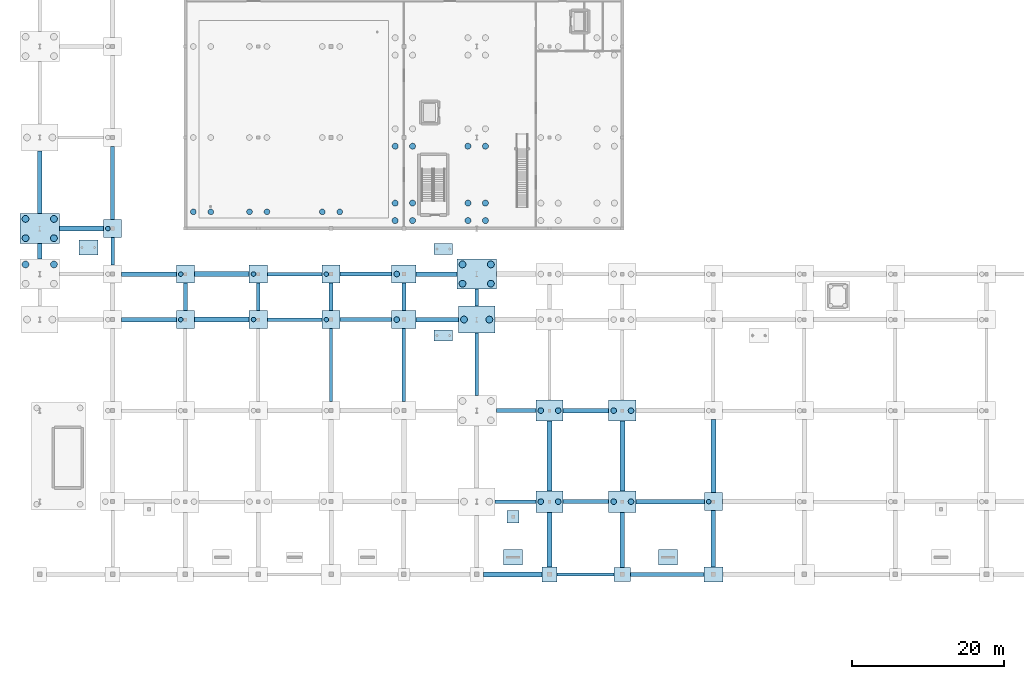
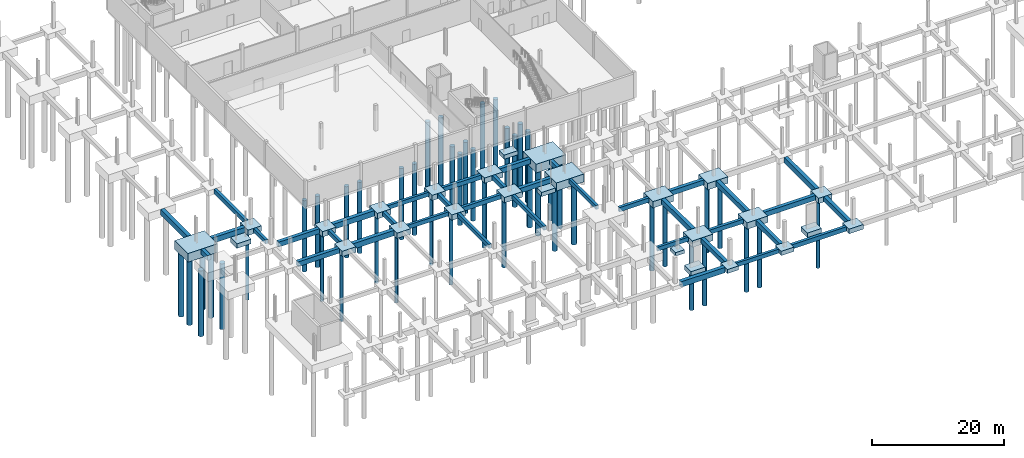
# One storey, part 2 of 31: 63 footings, 48 piles.
"""IFC4 building model written with IfcOpenShell, lengths in metres."""

import ifcopenshell
import ifcopenshell.guid

model = None  # the IFC model being written
_history = None  # IfcOwnerHistory: only IFC2X3 demands one
_inside = {}  # id of a spatial element -> (the spatial element, [elements in it])
_under = {}  # id of a project, library or spatial element -> (it, [spatial elements below it])
_declared = {}  # id of a project -> (the project, [libraries it declares])
_typed = {}  # id of a type object -> (the type object, [elements of that type])
_made_of = {}  # id of a material, layer set ... -> (it, [elements and type objects made of it])


def new_model(schema):
    """Start an empty IFC model of exactly this schema.

    Asked for "IFC4X3", IfcOpenShell would pick the latest addendum, in which some entities
    have other attributes; the version numbers below select the first issue.
    IFC2X3 requires an IfcOwnerHistory on every rooted entity: one is made here for all.
    """
    global model, _history
    if schema == "IFC4X3":
        model = ifcopenshell.file(schema_version=(4, 3, 0, 0))
    else:
        model = ifcopenshell.file(schema=schema)
    _inside.clear()
    _under.clear()
    _declared.clear()
    _typed.clear()
    _made_of.clear()
    _history = None
    if model.schema == "IFC2X3":
        org = make("IfcOrganization", Name="unknown")
        user = make(
            "IfcPersonAndOrganization",
            ThePerson=make("IfcPerson", FamilyName="unknown"),
            TheOrganization=org,
        )
        app = make(
            "IfcApplication",
            ApplicationDeveloper=org,
            Version="unknown",
            ApplicationFullName="unknown",
            ApplicationIdentifier="unknown",
        )
        _history = make(
            "IfcOwnerHistory",
            OwningUser=user,
            OwningApplication=app,
            ChangeAction="ADDED",
            CreationDate=0,
        )
    return model


def make(cls, **values):
    """One entity of the class cls with the attributes given. An attribute that is None is left unset."""
    return model.create_entity(
        cls, **{name: value for name, value in values.items() if value is not None}
    )


def rooted(cls, **values):
    """An entity with a GlobalId (a new one), such as an element, a storey or a relation."""
    return make(cls, GlobalId=ifcopenshell.guid.new(), OwnerHistory=_history, **values)


def si_unit(unit_type, name, prefix=None):
    """IfcSIUnit, for example si_unit("LENGTHUNIT", "METRE", prefix="MILLI")."""
    return make("IfcSIUnit", UnitType=unit_type, Prefix=prefix, Name=name)


def assignment(units):
    """IfcUnitAssignment: the units of a project."""
    return None if units is None else make("IfcUnitAssignment", Units=units)


def point(xyz):
    """IfcCartesianPoint."""
    return None if xyz is None else make("IfcCartesianPoint", Coordinates=xyz)


def direction(xyz):
    """IfcDirection."""
    return None if xyz is None else make("IfcDirection", DirectionRatios=xyz)


def frame(location, z_axis=None, x_axis=None):
    """IfcAxis2Placement3D, a coordinate frame: its origin and axes. An axis left out is left unset."""
    return make(
        "IfcAxis2Placement3D",
        Location=point(location),
        Axis=direction(z_axis),
        RefDirection=direction(x_axis),
    )


def frame_2d(location, x_axis=None):
    """IfcAxis2Placement2D, a coordinate frame in the plane: its origin and x axis."""
    return make(
        "IfcAxis2Placement2D", Location=point(location), RefDirection=direction(x_axis)
    )


def origin():
    """The frame at (0, 0, 0) with its axes left unset."""
    return frame((0.0, 0.0, 0.0))


def origin_2d():
    """The frame at (0, 0) in the plane with its x axis left unset."""
    return frame_2d((0.0, 0.0))


def place(relative_to, where):
    """IfcLocalPlacement: puts the frame where relative to a parent placement (None: the world)."""
    return make(
        "IfcLocalPlacement", PlacementRelTo=relative_to, RelativePlacement=where
    )


def context(
    kind, dimensions, precision=None, world=None, true_north=None, identifier=None
):
    """IfcGeometricRepresentationContext, for example the 3D "Model" context."""
    return make(
        "IfcGeometricRepresentationContext",
        ContextIdentifier=identifier,
        ContextType=kind,
        CoordinateSpaceDimension=dimensions,
        Precision=precision,
        WorldCoordinateSystem=world,
        TrueNorth=true_north,
    )


def subcontext(parent, identifier, kind, view, scale=None):
    """IfcGeometricRepresentationSubContext, for example "Body" below "Model"."""
    return make(
        "IfcGeometricRepresentationSubContext",
        ContextIdentifier=identifier,
        ContextType=kind,
        ParentContext=parent,
        TargetScale=scale,
        TargetView=view,
    )


def project(units=None, contexts=None):
    """IfcProject with its units and contexts."""
    return rooted(
        "IfcProject",
        Name="project",
        RepresentationContexts=contexts,
        UnitsInContext=assignment(units),
    )


def spatial(cls, under=None, at=None, **own):
    """A site, building, storey or space (cls), placed at a placement, below another one or the project."""
    s = rooted(cls, ObjectPlacement=at, **own)
    if under is not None:
        _under.setdefault(under.id(), (under, []))[1].append(s)
    return s


def profile(cls, at=None, kind="AREA", **sizes):
    """A parametric profile (cls). Its sizes go by their IFC names, for example OverallWidth=200.0."""
    return make(cls, ProfileType=kind, Position=at, **sizes)


def rectangle(**sizes):
    """IfcRectangleProfileDef."""
    return profile("IfcRectangleProfileDef", **sizes)


def circle(**sizes):
    """IfcCircleProfileDef."""
    return profile("IfcCircleProfileDef", **sizes)


def extrude(swept, where, along, depth):
    """IfcExtrudedAreaSolid: the profile swept, set in the frame where, extruded along a direction by depth."""
    return make(
        "IfcExtrudedAreaSolid",
        SweptArea=swept,
        Position=where,
        ExtrudedDirection=direction(along),
        Depth=depth,
    )


def shape(context_of_items, identifier, shape_type, items):
    """IfcShapeRepresentation: the items that make up one representation, for example the "Body"."""
    return make(
        "IfcShapeRepresentation",
        ContextOfItems=context_of_items,
        RepresentationIdentifier=identifier,
        RepresentationType=shape_type,
        Items=items,
    )


def material(Name=None, Category=None):
    """IfcMaterial."""
    return make("IfcMaterial", Name=Name, Category=Category)


def layer(
    of_material, thickness, ventilated=None, Name=None, Category=None, Priority=None
):
    """IfcMaterialLayer: one layer of a wall or slab, of a material (None: an air gap)."""
    return make(
        "IfcMaterialLayer",
        Material=of_material,
        LayerThickness=thickness,
        IsVentilated=ventilated,
        Name=Name,
        Category=Category,
        Priority=Priority,
    )


def layer_set(layers, Name=None):
    """IfcMaterialLayerSet."""
    return make("IfcMaterialLayerSet", MaterialLayers=layers, LayerSetName=Name)


def material_profile(
    of_material, cross_section, Name=None, Category=None, Priority=None
):
    """IfcMaterialProfile: a cross section and its material."""
    return make(
        "IfcMaterialProfile",
        Name=Name,
        Material=of_material,
        Profile=cross_section,
        Priority=Priority,
        Category=Category,
    )


def profile_set(profiles, Name=None, composite=None):
    """IfcMaterialProfileSet."""
    return make(
        "IfcMaterialProfileSet",
        Name=Name,
        MaterialProfiles=profiles,
        CompositeProfile=composite,
    )


def made_of(thing, what):
    """Note that an element or type object is made of a material, layer set ...; save() writes the relation."""
    if what is not None:
        _made_of.setdefault(what.id(), (what, []))[1].append(thing)
    return thing


def type_object(cls, material=None, **own):
    """A type object (cls), such as IfcWallType, which elements share."""
    return made_of(rooted(cls, **own), material)


def element(
    cls,
    number,
    at=None,
    inside=None,
    cuts=None,
    type_object=None,
    material=None,
    context=None,
    identifier="Body",
    shape_type=None,
    held_by="IfcProductDefinitionShape",
    body=None,
    shapes=None,
    **own,
):
    """One element of the class cls, such as IfcWall. Its Tag is "e" and its number.

    at: its placement. inside: the storey or other place that contains it. cuts: it is an
    opening in that element (IfcRelVoidsElement). A single representation is given by context,
    identifier, shape_type and body (its items); several are given by shapes. held_by: the class
    of the entity that holds the representations. save() writes the other relations.
    """
    e = rooted(cls, Tag="e%d" % number, ObjectPlacement=at, **own)
    if body is not None:
        shapes = [shape(context, identifier, shape_type, body)]
    if shapes is not None:
        e.Representation = make(held_by, Representations=shapes)
    if inside is not None:
        _inside.setdefault(inside.id(), (inside, []))[1].append(e)
    if cuts is not None:
        rooted(
            "IfcRelVoidsElement", RelatingBuildingElement=cuts, RelatedOpeningElement=e
        )
    if type_object is not None:
        _typed.setdefault(type_object.id(), (type_object, []))[1].append(e)
    return made_of(e, material)


def aggregate(whole, parts):
    """IfcRelAggregates: a whole, such as a stair, and the parts it consists of."""
    return rooted("IfcRelAggregates", RelatingObject=whole, RelatedObjects=parts)


def save(model, path):
    """Write the relations noted so far, then the file.

    IfcRelAggregates (storeys below a building ...), IfcRelContainedInSpatialStructure (elements
    in a storey), IfcRelDefinesByType, IfcRelAssociatesMaterial and IfcRelDeclares: one each for
    every whole, place, type object, material and project.
    """
    for whole, parts in _under.values():
        aggregate(whole, parts)
    for where, things in _inside.values():
        rooted(
            "IfcRelContainedInSpatialStructure",
            RelatedElements=things,
            RelatingStructure=where,
        )
    for kind, things in _typed.values():
        rooted("IfcRelDefinesByType", RelatedObjects=things, RelatingType=kind)
    for what, things in _made_of.values():
        rooted("IfcRelAssociatesMaterial", RelatedObjects=things, RelatingMaterial=what)
    for by, libraries in _declared.values():
        rooted("IfcRelDeclares", RelatingContext=by, RelatedDefinitions=libraries)
    model.write(path)


model = new_model("IFC4")

# Units and contexts
model_context = context("Model", 3, precision=1e-05, world=origin(), true_north=direction((0.0, 1.0)))
body_context = subcontext(model_context, "Body", "Model", "MODEL_VIEW")
ifc_project = project(units=[si_unit("LENGTHUNIT", "METRE"), si_unit("AREAUNIT", "SQUARE_METRE"), si_unit("VOLUMEUNIT", "CUBIC_METRE"), si_unit("PLANEANGLEUNIT", "RADIAN"), si_unit("MASSUNIT", "GRAM", prefix="KILO")], contexts=[model_context])

# Site, building, storey
site_placement = place(None, origin())
site = spatial("IfcSite", under=ifc_project, at=site_placement, CompositionType="ELEMENT")
building_placement = place(site_placement, origin())
building = spatial("IfcBuilding", under=site, at=building_placement, Name="Merenkruunu Market Hall", CompositionType="ELEMENT")
storey_placement = place(building_placement, frame((0.0, 0.0, -4.800048828125)))
storey = spatial("IfcBuildingStorey", under=building, at=storey_placement, Name="B1", CompositionType="ELEMENT", Elevation=-4.800048828125)

# Footings
ifc_material = material(Name="Concrete C35/45", Category="concrete")
ifc_layer_1 = layer(ifc_material, 1.0)
ifc_layer_set_1 = layer_set([ifc_layer_1], Name="Concrete C35/45")
footing_type_1 = type_object("IfcFootingType", Name="Multi Pile Cap PC01", PredefinedType="PILE_CAP", material=ifc_layer_set_1)
for number, where, z_axis, x_axis, name in (
    (1, (9.60009765625, 51.60009765625, -1.0), (0.0, 0.0, 1.0), (1.0, 0.0, 0.0), "FTG-CAP-B-07"),
    (2, (19.199951171875, 39.60009765625, -1.0), (0.0, 0.0, 1.0), (1.0, 0.0, 0.0), "FTG-CAP-C-05"),
    (3, (19.199951171875, 45.60009765625, -1.0), (0.0, 0.0, 1.0), (1.0, 0.0, 0.0), "FTG-CAP-C-06"),
    (4, (28.800048828125, 39.60009765625, -1.0), (0.0, 0.0, 1.0), (1.0, 0.0, 0.0), "FTG-CAP-D-05"),
    (5, (28.800048828125, 45.60009765625, -1.0), (0.0, 0.0, 1.0), (1.0, 0.0, 0.0), "FTG-CAP-D-06"),
    (6, (38.39990234375, 39.60009765625, -1.0), (0.0, 0.0, 1.0), (1.0, 0.0, 0.0), "FTG-CAP-E-05"),
    (7, (38.39990234375, 45.60009765625, -1.0), (0.0, 0.0, 1.0), (1.0, 0.0, 0.0), "FTG-CAP-E-06"),
    (8, (88.800048828125, 15.60009765625, -1.0), (0.0, 0.0, 1.0), (1.0, 0.0, 0.0), "FTG-CAP-K-03"),
):
    element("IfcFooting", number, at=place(storey_placement, frame(where, z_axis=z_axis, x_axis=x_axis)), inside=storey, type_object=footing_type_1, Name=name, PredefinedType="PILE_CAP", context=body_context, shape_type="SweptSolid", body=[
        extrude(rectangle(XDim=2.39990234375, YDim=2.39990234375, at=origin_2d()), origin(), (0.0, 0.0, 1.0), 1.0),
    ])
ifc_layer_2 = layer(ifc_material, 1.0)
ifc_layer_set_2 = layer_set([ifc_layer_2], Name="Concrete C35/45")
footing_type_2 = type_object("IfcFootingType", Name="Multi Pile Cap PC03", PredefinedType="PILE_CAP", material=ifc_layer_set_2)
for number, where, z_axis, x_axis, name in (
    (9, (48.0, 39.60009765625, -1.0), (0.0, 0.0, 1.0), (1.0, 0.0, 0.0), "FTG-CAP-F-05"),
    (10, (48.0, 45.60009765625, -1.0), (0.0, 0.0, 1.0), (1.0, 0.0, 0.0), "FTG-CAP-F-06"),
):
    element("IfcFooting", number, at=place(storey_placement, frame(where, z_axis=z_axis, x_axis=x_axis)), inside=storey, type_object=footing_type_2, Name=name, PredefinedType="PILE_CAP", context=body_context, shape_type="SweptSolid", body=[
        extrude(rectangle(XDim=3.199951171875, YDim=2.39990234375, at=origin_2d()), origin(), (0.0, 0.0, 1.0), 1.0),
    ])
ifc_layer_3 = layer(ifc_material, 1.199951171875)
ifc_layer_set_3 = layer_set([ifc_layer_3], Name="Concrete C35/45")
footing_type_3 = type_object("IfcFootingType", Name="Multi Pile Cap PC04", PredefinedType="PILE_CAP", material=ifc_layer_set_3)
for number, where, z_axis, x_axis, name in (
    (11, (67.199951171875, 15.60009765625, -1.19970703125), (0.0, 0.0, 1.0), (1.0, 0.0, 0.0), "FTG-CAP-H-03"),
    (12, (67.199951171875, 27.60009765625, -1.19970703125), (0.0, 0.0, 1.0), (1.0, 0.0, 0.0), "FTG-CAP-H-04"),
    (13, (76.800048828125, 15.60009765625, -1.19970703125), (0.0, 0.0, 1.0), (1.0, 0.0, 0.0), "FTG-CAP-J-03"),
    (14, (76.800048828125, 27.60009765625, -1.19970703125), (0.0, 0.0, 1.0), (1.0, 0.0, 0.0), "FTG-CAP-J-04"),
):
    element("IfcFooting", number, at=place(storey_placement, frame(where, z_axis=z_axis, x_axis=x_axis)), inside=storey, type_object=footing_type_3, Name=name, PredefinedType="PILE_CAP", context=body_context, shape_type="SweptSolid", body=[
        extrude(rectangle(XDim=3.60009765625, YDim=2.800048828125, at=origin_2d()), origin(), (0.0, 0.0, 1.0), 1.199951171875),
    ])
ifc_layer_4 = layer(ifc_material, 1.5)
ifc_layer_set_4 = layer_set([ifc_layer_4], Name="Concrete C35/45")
footing_type_4 = type_object("IfcFootingType", Name="Multi Pile Cap PC07", PredefinedType="PILE_CAP", material=ifc_layer_set_4)
footing_1_placement = place(storey_placement, frame((57.60009765625, 39.60009765625, -1.5), z_axis=(0.0, 0.0, 1.0), x_axis=(1.0, 0.0, 0.0)))
element("IfcFooting", 15, at=footing_1_placement, inside=storey, type_object=footing_type_4, Name="FTG-CAP-G-05", PredefinedType="PILE_CAP", context=body_context, shape_type="SweptSolid", body=[
    extrude(rectangle(XDim=4.800048828125, YDim=3.60009765625, at=origin_2d()), origin(), (0.0, 0.0, 1.0), 1.5),
])
ifc_layer_5 = layer(ifc_material, 1.60009765625)
ifc_layer_set_5 = layer_set([ifc_layer_5], Name="Concrete C35/45")
footing_type_5 = type_object("IfcFootingType", Name="Multi Pile Cap PC08", PredefinedType="PILE_CAP", material=ifc_layer_set_5)
for number, where, z_axis, x_axis, name in (
    (16, (0.0, 51.60009765625, -1.60009765625), (0.0, 0.0, 1.0), (1.0, 0.0, 0.0), "FTG-CAP-A-07"),
    (17, (57.60009765625, 45.60009765625, -1.60009765625), (0.0, 0.0, 1.0), (1.0, 0.0, 0.0), "FTG-CAP-G-06"),
):
    element("IfcFooting", number, at=place(storey_placement, frame(where, z_axis=z_axis, x_axis=x_axis)), inside=storey, type_object=footing_type_5, Name=name, PredefinedType="PILE_CAP", context=body_context, shape_type="SweptSolid", body=[
        extrude(rectangle(XDim=5.199951171875, YDim=4.0, at=origin_2d()), origin(), (0.0, 0.0, 1.0), 1.60009765625),
    ])

# Piles
ifc_material_profile_1 = material_profile(ifc_material, circle(Radius=0.300048828125, at=origin_2d()), Name="BORED PILE 600")
ifc_profile_set_1 = profile_set([ifc_material_profile_1], Name="Concrete C35/45")
pile_type_1 = type_object("IfcPileType", Name="Rock Socketed Bored Pile P01", PredefinedType="BORED", material=ifc_profile_set_1)
for number, where, z_axis, x_axis, name in (
    (18, (8.97998046875, 51.60009765625, -0.89990234375), (0.0, 0.0, -1.0), (1.0, 0.0, 0.0), "PILE-P01-0224"),
    (19, (18.580078125, 39.60009765625, -0.89990234375), (0.0, 0.0, -1.0), (1.0, 0.0, 0.0), "PILE-P01-0233"),
    (20, (18.580078125, 45.60009765625, -0.89990234375), (0.0, 0.0, -1.0), (1.0, 0.0, 0.0), "PILE-P01-0234"),
    (21, (28.179931640625, 39.60009765625, -0.89990234375), (0.0, 0.0, -1.0), (1.0, 0.0, 0.0), "PILE-P01-0238"),
    (22, (28.179931640625, 45.60009765625, -0.89990234375), (0.0, 0.0, -1.0), (1.0, 0.0, 0.0), "PILE-P01-0239"),
    (23, (37.780029296875, 39.60009765625, -0.89990234375), (0.0, 0.0, -1.0), (1.0, 0.0, 0.0), "PILE-P01-0242"),
    (24, (37.780029296875, 45.60009765625, -0.89990234375), (0.0, 0.0, -1.0), (1.0, 0.0, 0.0), "PILE-P01-0243"),
    (25, (88.179931640625, 15.60009765625, -0.89990234375), (0.0, 0.0, -1.0), (1.0, 0.0, 0.0), "PILE-P01-0276"),
):
    element("IfcPile", number, at=place(storey_placement, frame(where, z_axis=z_axis, x_axis=x_axis)), inside=storey, type_object=pile_type_1, Name=name, PredefinedType="BORED", context=body_context, shape_type="SweptSolid", body=[
        extrude(circle(Radius=0.300048828125, at=origin_2d()), origin(), (0.0, 0.0, 1.0), 12.800048828125),
    ])
ifc_material_profile_2 = material_profile(ifc_material, circle(Radius=0.375, at=origin_2d()), Name="BORED PILE 750")
ifc_profile_set_2 = profile_set([ifc_material_profile_2], Name="Concrete C35/45")
pile_type_2 = type_object("IfcPileType", Name="Rock Socketed Bored Pile P02", PredefinedType="BORED", material=ifc_profile_set_2)
for number, where, z_axis, x_axis, name in (
    (26, (20.25, 53.800048828125, -0.5), (0.0, 0.0, -1.0), (1.0, 0.0, 0.0), "PILE-P02-0001"),
    (27, (22.550048828125, 53.800048828125, -0.5), (0.0, 0.0, -1.0), (1.0, 0.0, 0.0), "PILE-P02-0002"),
    (28, (27.64990234375, 53.800048828125, -0.5), (0.0, 0.0, -1.0), (1.0, 0.0, 0.0), "PILE-P02-0015"),
    (29, (29.949951171875, 53.800048828125, -0.5), (0.0, 0.0, -1.0), (1.0, 0.0, 0.0), "PILE-P02-0016"),
    (30, (37.25, 53.800048828125, -0.5), (0.0, 0.0, -1.0), (1.0, 0.0, 0.0), "PILE-P02-0029"),
    (31, (39.550048828125, 53.800048828125, -0.5), (0.0, 0.0, -1.0), (1.0, 0.0, 0.0), "PILE-P02-0030"),
):
    element("IfcPile", number, at=place(storey_placement, frame(where, z_axis=z_axis, x_axis=x_axis)), inside=storey, type_object=pile_type_2, Name=name, PredefinedType="BORED", context=body_context, shape_type="SweptSolid", body=[
        extrude(circle(Radius=0.375, at=origin_2d()), origin(), (0.0, 0.0, 1.0), 13.199951171875),
    ])
for number, where, z_axis, x_axis, name in (
    (32, (47.054931640625, 39.60009765625, -0.89990234375), (0.0, 0.0, -1.0), (1.0, 0.0, 0.0), "PILE-P02-0246"),
    (33, (47.054931640625, 45.60009765625, -0.89990234375), (0.0, 0.0, -1.0), (1.0, 0.0, 0.0), "PILE-P02-0247"),
):
    element("IfcPile", number, at=place(storey_placement, frame(where, z_axis=z_axis, x_axis=x_axis)), inside=storey, type_object=pile_type_2, Name=name, PredefinedType="BORED", context=body_context, shape_type="SweptSolid", body=[
        extrude(circle(Radius=0.375, at=origin_2d()), origin(), (0.0, 0.0, 1.0), 12.800048828125),
    ])
for number, where, z_axis, x_axis, name in (
    (34, (66.054931640625, 15.60009765625, -1.099853515625), (0.0, 0.0, -1.0), (1.0, 0.0, 0.0), "PILE-P02-0260"),
    (35, (68.344970703125, 15.60009765625, -1.099853515625), (0.0, 0.0, -1.0), (1.0, 0.0, 0.0), "PILE-P02-0261"),
    (36, (66.054931640625, 27.60009765625, -1.099853515625), (0.0, 0.0, -1.0), (1.0, 0.0, 0.0), "PILE-P02-0262"),
    (37, (68.344970703125, 27.60009765625, -1.099853515625), (0.0, 0.0, -1.0), (1.0, 0.0, 0.0), "PILE-P02-0263"),
    (38, (75.655029296875, 15.60009765625, -1.099853515625), (0.0, 0.0, -1.0), (1.0, 0.0, 0.0), "PILE-P02-0268"),
    (39, (77.945068359375, 15.60009765625, -1.099853515625), (0.0, 0.0, -1.0), (1.0, 0.0, 0.0), "PILE-P02-0269"),
    (40, (75.655029296875, 27.60009765625, -1.099853515625), (0.0, 0.0, -1.0), (1.0, 0.0, 0.0), "PILE-P02-0270"),
    (41, (77.945068359375, 27.60009765625, -1.099853515625), (0.0, 0.0, -1.0), (1.0, 0.0, 0.0), "PILE-P02-0271"),
):
    element("IfcPile", number, at=place(storey_placement, frame(where, z_axis=z_axis, x_axis=x_axis)), inside=storey, type_object=pile_type_2, Name=name, PredefinedType="BORED", context=body_context, shape_type="SweptSolid", body=[
        extrude(circle(Radius=0.375, at=origin_2d()), origin(), (0.0, 0.0, 1.0), 12.60009765625),
    ])
ifc_material_profile_3 = material_profile(ifc_material, circle(Radius=0.39990234375, at=origin_2d()), Name="BORED PILE 800")
ifc_profile_set_3 = profile_set([ifc_material_profile_3], Name="Concrete C35/45")
pile_type_3 = type_object("IfcPileType", Name="Rock Socketed Bored Pile P03", PredefinedType="BORED", material=ifc_profile_set_3)
for number, where, z_axis, x_axis, name in (
    (42, (46.85009765625, 52.64990234375, -0.5), (0.0, 0.0, -1.0), (1.0, 0.0, 0.0), "PILE-P03-0043"),
    (43, (49.14990234375, 52.64990234375, -0.5), (0.0, 0.0, -1.0), (1.0, 0.0, 0.0), "PILE-P03-0044"),
    (44, (46.85009765625, 54.949951171875, -0.5), (0.0, 0.0, -1.0), (1.0, 0.0, 0.0), "PILE-P03-0045"),
    (45, (49.14990234375, 54.949951171875, -0.5), (0.0, 0.0, -1.0), (1.0, 0.0, 0.0), "PILE-P03-0046"),
    (46, (46.85009765625, 62.449951171875, -0.5), (0.0, 0.0, -1.0), (1.0, 0.0, 0.0), "PILE-P03-0047"),
    (47, (49.14990234375, 62.449951171875, -0.5), (0.0, 0.0, -1.0), (1.0, 0.0, 0.0), "PILE-P03-0048"),
    (48, (56.449951171875, 52.64990234375, -0.5), (0.0, 0.0, -1.0), (1.0, 0.0, 0.0), "PILE-P03-0065"),
    (49, (58.75, 52.64990234375, -0.5), (0.0, 0.0, -1.0), (1.0, 0.0, 0.0), "PILE-P03-0066"),
    (50, (56.449951171875, 54.949951171875, -0.5), (0.0, 0.0, -1.0), (1.0, 0.0, 0.0), "PILE-P03-0067"),
    (51, (58.75, 54.949951171875, -0.5), (0.0, 0.0, -1.0), (1.0, 0.0, 0.0), "PILE-P03-0068"),
    (52, (56.449951171875, 62.449951171875, -0.5), (0.0, 0.0, -1.0), (1.0, 0.0, 0.0), "PILE-P03-0069"),
    (53, (58.75, 62.449951171875, -0.5), (0.0, 0.0, -1.0), (1.0, 0.0, 0.0), "PILE-P03-0070"),
):
    element("IfcPile", number, at=place(storey_placement, frame(where, z_axis=z_axis, x_axis=x_axis)), inside=storey, type_object=pile_type_3, Name=name, PredefinedType="BORED", context=body_context, shape_type="SweptSolid", body=[
        extrude(circle(Radius=0.39990234375, at=origin_2d()), origin(), (0.0, 0.0, 1.0), 13.199951171875),
    ])
ifc_material_profile_4 = material_profile(ifc_material, circle(Radius=0.449951171875, at=origin_2d()), Name="BORED PILE 900")
ifc_profile_set_4 = profile_set([ifc_material_profile_4], Name="Concrete C35/45")
pile_type_4 = type_object("IfcPileType", Name="Rock Socketed Bored Pile P04", PredefinedType="BORED", material=ifc_profile_set_4)
for number, where, z_axis, x_axis, name in (
    (54, (-1.8701171875, 46.8701171875, -1.5), (0.0, 0.0, -1.0), (1.0, 0.0, 0.0), "PILE-P04-0200"),
    (55, (1.8701171875, 46.8701171875, -1.5), (0.0, 0.0, -1.0), (1.0, 0.0, 0.0), "PILE-P04-0201"),
    (56, (-1.8701171875, 50.330078125, -1.5), (0.0, 0.0, -1.0), (1.0, 0.0, 0.0), "PILE-P04-0202"),
    (57, (1.8701171875, 50.330078125, -1.5), (0.0, 0.0, -1.0), (1.0, 0.0, 0.0), "PILE-P04-0203"),
    (58, (-1.8701171875, 52.8701171875, -1.5), (0.0, 0.0, -1.0), (1.0, 0.0, 0.0), "PILE-P04-0204"),
    (59, (1.8701171875, 52.8701171875, -1.5), (0.0, 0.0, -1.0), (1.0, 0.0, 0.0), "PILE-P04-0205"),
):
    element("IfcPile", number, at=place(storey_placement, frame(where, z_axis=z_axis, x_axis=x_axis)), inside=storey, type_object=pile_type_4, Name=name, PredefinedType="BORED", context=body_context, shape_type="SweptSolid", body=[
        extrude(circle(Radius=0.449951171875, at=origin_2d()), origin(), (0.0, 0.0, 1.0), 12.199951171875),
    ])
for number, where, z_axis, x_axis, name in (
    (60, (55.929931640625, 39.60009765625, -1.39990234375), (0.0, 0.0, -1.0), (1.0, 0.0, 0.0), "PILE-P04-0254"),
    (61, (59.27001953125, 39.60009765625, -1.39990234375), (0.0, 0.0, -1.0), (1.0, 0.0, 0.0), "PILE-P04-0255"),
):
    element("IfcPile", number, at=place(storey_placement, frame(where, z_axis=z_axis, x_axis=x_axis)), inside=storey, type_object=pile_type_4, Name=name, PredefinedType="BORED", context=body_context, shape_type="SweptSolid", body=[
        extrude(circle(Radius=0.449951171875, at=origin_2d()), origin(), (0.0, 0.0, 1.0), 12.300048828125),
    ])
for number, where, z_axis, x_axis, name in (
    (62, (55.72998046875, 44.330078125, -1.5), (0.0, 0.0, -1.0), (1.0, 0.0, 0.0), "PILE-P04-0256"),
    (63, (59.469970703125, 44.330078125, -1.5), (0.0, 0.0, -1.0), (1.0, 0.0, 0.0), "PILE-P04-0257"),
    (64, (55.72998046875, 46.8701171875, -1.5), (0.0, 0.0, -1.0), (1.0, 0.0, 0.0), "PILE-P04-0258"),
    (65, (59.469970703125, 46.8701171875, -1.5), (0.0, 0.0, -1.0), (1.0, 0.0, 0.0), "PILE-P04-0259"),
):
    element("IfcPile", number, at=place(storey_placement, frame(where, z_axis=z_axis, x_axis=x_axis)), inside=storey, type_object=pile_type_4, Name=name, PredefinedType="BORED", context=body_context, shape_type="SweptSolid", body=[
        extrude(circle(Radius=0.449951171875, at=origin_2d()), origin(), (0.0, 0.0, 1.0), 12.199951171875),
    ])

# Footings
ifc_layer_6 = layer(ifc_material, 0.75)
ifc_layer_set_6 = layer_set([ifc_layer_6], Name="Concrete C35/45")
footing_type_6 = type_object("IfcFootingType", Name="Spread Pad Footing PF02", PredefinedType="PAD_FOOTING", material=ifc_layer_set_6)
footing_2_placement = place(storey_placement, frame((67.199951171875, 6.0, -0.75), z_axis=(0.0, 0.0, 1.0), x_axis=(1.0, 0.0, 0.0)))
element("IfcFooting", 66, at=footing_2_placement, inside=storey, type_object=footing_type_6, Name="FTG-PAD-H-02", PredefinedType="PAD_FOOTING", context=body_context, shape_type="SweptSolid", body=[
    extrude(rectangle(XDim=2.0, YDim=2.0, at=origin_2d()), origin(), (0.0, 0.0, 1.0), 0.75),
])
ifc_layer_7 = layer(ifc_material, 0.800048828125)
ifc_layer_set_7 = layer_set([ifc_layer_7], Name="Concrete C35/45")
footing_type_7 = type_object("IfcFootingType", Name="Spread Pad Footing PF03", PredefinedType="PAD_FOOTING", material=ifc_layer_set_7)
footing_3_placement = place(storey_placement, frame((76.800048828125, 6.0, -0.7998046875), z_axis=(0.0, 0.0, 1.0), x_axis=(1.0, 0.0, 0.0)))
element("IfcFooting", 67, at=footing_3_placement, inside=storey, type_object=footing_type_7, Name="FTG-PAD-J-02", PredefinedType="PAD_FOOTING", context=body_context, shape_type="SweptSolid", body=[
    extrude(rectangle(XDim=2.199951171875, YDim=1.800048828125, at=origin_2d()), origin(), (0.0, 0.0, 1.0), 0.800048828125),
])
ifc_layer_8 = layer(ifc_material, 0.85009765625)
ifc_layer_set_8 = layer_set([ifc_layer_8], Name="Concrete C35/45")
footing_type_8 = type_object("IfcFootingType", Name="Spread Pad Footing PF04", PredefinedType="PAD_FOOTING", material=ifc_layer_set_8)
for number, where, z_axis, x_axis, name in (
    (68, (88.800048828125, 6.0, -0.85009765625), (0.0, 0.0, 1.0), (1.0, 0.0, 0.0), "FTG-PAD-K-02"),
    (69, (6.39990234375, 49.10009765625, -0.85009765625), (0.0, 0.0, 1.0), (1.0, 0.0, 0.0), "FTG-FSTPAD-2"),
    (70, (62.39990234375, 8.27001953125, -0.85009765625), (0.0, 0.0, 1.0), (1.0, 0.0, 0.0), "FTG-RMPPAD-04"),
    (71, (82.800048828125, 8.27001953125, -0.85009765625), (0.0, 0.0, 1.0), (1.0, 0.0, 0.0), "FTG-RMPPAD-05"),
):
    element("IfcFooting", number, at=place(storey_placement, frame(where, z_axis=z_axis, x_axis=x_axis)), inside=storey, type_object=footing_type_8, Name=name, PredefinedType="PAD_FOOTING", context=body_context, shape_type="SweptSolid", body=[
        extrude(rectangle(XDim=2.5, YDim=2.0, at=origin_2d()), origin(), (0.0, 0.0, 1.0), 0.85009765625),
    ])
ifc_layer_9 = layer(ifc_material, 0.64990234375)
ifc_layer_set_9 = layer_set([ifc_layer_9], Name="Concrete C35/45")
footing_type_9 = type_object("IfcFootingType", Name="Spread Pad Footing PF06", PredefinedType="PAD_FOOTING", material=ifc_layer_set_9)
footing_4_placement = place(storey_placement, frame((62.39990234375, 13.60009765625, -0.64990234375), z_axis=(0.0, 0.0, 1.0), x_axis=(1.0, 0.0, 0.0)))
element("IfcFooting", 72, at=footing_4_placement, inside=storey, type_object=footing_type_9, Name="FTG-APRONPAD-02", PredefinedType="PAD_FOOTING", context=body_context, shape_type="SweptSolid", body=[
    extrude(rectangle(XDim=1.60009765625, YDim=1.60009765625, at=origin_2d()), origin(), (0.0, 0.0, 1.0), 0.64990234375),
])
ifc_layer_10 = layer(ifc_material, 0.780029296875)
ifc_layer_set_10 = layer_set([ifc_layer_10], Name="Concrete C35/45")
footing_type_10 = type_object("IfcFootingType", Name="Spread Pad Footing PF08", PredefinedType="PAD_FOOTING", material=ifc_layer_set_10)
for number, where, z_axis, x_axis, name in (
    (73, (53.199951171875, 37.5, -0.77978515625), (0.0, 0.0, 1.0), (1.0, 0.0, 0.0), "FTG-FSTPAD-3"),
    (74, (53.199951171875, 48.89990234375, -0.77978515625), (0.0, 0.0, 1.0), (1.0, 0.0, 0.0), "FTG-FSTPAD-5"),
):
    element("IfcFooting", number, at=place(storey_placement, frame(where, z_axis=z_axis, x_axis=x_axis)), inside=storey, type_object=footing_type_10, Name=name, PredefinedType="PAD_FOOTING", context=body_context, shape_type="SweptSolid", body=[
        extrude(rectangle(XDim=2.39990234375, YDim=1.5, at=origin_2d()), origin(), (0.0, 0.0, 1.0), 0.780029296875),
    ])
ifc_layer_11 = layer(ifc_material, 0.800048828125)
ifc_layer_set_11 = layer_set([ifc_layer_11], Name="Concrete C35/45")
footing_type_11 = type_object("IfcFootingType", Name="Tie Ground Beam GB01", PredefinedType="FOOTING_BEAM", material=ifc_layer_set_11)
footing_5_placement = place(storey_placement, frame((82.72509765625, 6.0, -0.7998046875), z_axis=(0.0, 0.0, 1.0), x_axis=(1.0, 0.0, 0.0)))
element("IfcFooting", 75, at=footing_5_placement, inside=storey, type_object=footing_type_11, Name="FTG-GB-EW-013", PredefinedType="FOOTING_BEAM", context=body_context, shape_type="SweptSolid", body=[
    extrude(rectangle(XDim=9.64990234375, YDim=0.5, at=origin_2d()), origin(), (0.0, 0.0, 1.0), 0.800048828125),
])
footing_6_placement = place(storey_placement, frame((72.0, 15.60009765625, -0.7998046875), z_axis=(0.0, 0.0, 1.0), x_axis=(1.0, 0.0, 0.0)))
element("IfcFooting", 76, at=footing_6_placement, inside=storey, type_object=footing_type_11, Name="FTG-GB-EW-025", PredefinedType="FOOTING_BEAM", context=body_context, shape_type="SweptSolid", body=[
    extrude(rectangle(XDim=6.0, YDim=0.5, at=origin_2d()), origin(), (0.0, 0.0, 1.0), 0.800048828125),
])
footing_7_placement = place(storey_placement, frame((62.800048828125, 27.60009765625, -0.7998046875), z_axis=(0.0, 0.0, 1.0), x_axis=(1.0, 0.0, 0.0)))
element("IfcFooting", 77, at=footing_7_placement, inside=storey, type_object=footing_type_11, Name="FTG-GB-EW-037", PredefinedType="FOOTING_BEAM", context=body_context, shape_type="SweptSolid", body=[
    extrude(rectangle(XDim=5.199951171875, YDim=0.5, at=origin_2d()), origin(), (0.0, 0.0, 1.0), 0.800048828125),
])
for number, where, z_axis, x_axis, name in (
    (78, (43.0, 39.60009765625, -0.7998046875), (0.0, 0.0, 1.0), (1.0, 0.0, 0.0), "FTG-GB-EW-049"),
    (79, (43.0, 45.60009765625, -0.7998046875), (0.0, 0.0, 1.0), (1.0, 0.0, 0.0), "FTG-GB-EW-065"),
):
    element("IfcFooting", number, at=place(storey_placement, frame(where, z_axis=z_axis, x_axis=x_axis)), inside=storey, type_object=footing_type_11, Name=name, PredefinedType="FOOTING_BEAM", context=body_context, shape_type="SweptSolid", body=[
        extrude(rectangle(XDim=6.800048828125, YDim=0.5, at=origin_2d()), origin(), (0.0, 0.0, 1.0), 0.800048828125),
    ])
footing_8_placement = place(storey_placement, frame((9.60009765625, 57.60009765625, -0.7998046875), z_axis=(0.0, 0.0, 1.0), x_axis=(0.0, 1.0, 0.0)))
element("IfcFooting", 80, at=footing_8_placement, inside=storey, type_object=footing_type_11, Name="FTG-GB-NS-105", PredefinedType="FOOTING_BEAM", context=body_context, shape_type="SweptSolid", body=[
    extrude(rectangle(XDim=9.60009765625, YDim=0.5, at=origin_2d()), origin(), (0.0, 0.0, 1.0), 0.800048828125),
])
for number, where, z_axis, x_axis, name in (
    (81, (19.199951171875, 42.60009765625, -0.7998046875), (0.0, 0.0, 1.0), (0.0, 1.0, 0.0), "FTG-GB-NS-113"),
    (82, (28.800048828125, 42.60009765625, -0.7998046875), (0.0, 0.0, 1.0), (0.0, 1.0, 0.0), "FTG-GB-NS-117"),
    (83, (38.39990234375, 42.60009765625, -0.7998046875), (0.0, 0.0, 1.0), (0.0, 1.0, 0.0), "FTG-GB-NS-121"),
    (84, (48.0, 42.60009765625, -0.7998046875), (0.0, 0.0, 1.0), (0.0, 1.0, 0.0), "FTG-GB-NS-125"),
):
    element("IfcFooting", number, at=place(storey_placement, frame(where, z_axis=z_axis, x_axis=x_axis)), inside=storey, type_object=footing_type_11, Name=name, PredefinedType="FOOTING_BEAM", context=body_context, shape_type="SweptSolid", body=[
        extrude(rectangle(XDim=3.60009765625, YDim=0.5, at=origin_2d()), origin(), (0.0, 0.0, 1.0), 0.800048828125),
    ])
footing_9_placement = place(storey_placement, frame((57.60009765625, 42.5, -0.7998046875), z_axis=(0.0, 0.0, 1.0), x_axis=(0.0, 1.0, 0.0)))
element("IfcFooting", 85, at=footing_9_placement, inside=storey, type_object=footing_type_11, Name="FTG-GB-NS-129", PredefinedType="FOOTING_BEAM", context=body_context, shape_type="SweptSolid", body=[
    extrude(rectangle(XDim=2.199951171875, YDim=0.5, at=origin_2d()), origin(), (0.0, 0.0, 1.0), 0.800048828125),
])
ifc_layer_12 = layer(ifc_material, 0.89990234375)
ifc_layer_set_12 = layer_set([ifc_layer_12], Name="Concrete C35/45")
footing_type_12 = type_object("IfcFootingType", Name="Tie Ground Beam GB02", PredefinedType="FOOTING_BEAM", material=ifc_layer_set_12)
footing_10_placement = place(storey_placement, frame((83.10009765625, 15.60009765625, -0.89990234375), z_axis=(0.0, 0.0, 1.0), x_axis=(1.0, 0.0, 0.0)))
element("IfcFooting", 86, at=footing_10_placement, inside=storey, type_object=footing_type_12, Name="FTG-GB-EW-026", PredefinedType="FOOTING_BEAM", context=body_context, shape_type="SweptSolid", body=[
    extrude(rectangle(XDim=9.0, YDim=0.60009765625, at=origin_2d()), origin(), (0.0, 0.0, 1.0), 0.89990234375),
])
footing_11_placement = place(storey_placement, frame((72.0, 27.60009765625, -0.89990234375), z_axis=(0.0, 0.0, 1.0), x_axis=(1.0, 0.0, 0.0)))
element("IfcFooting", 87, at=footing_11_placement, inside=storey, type_object=footing_type_12, Name="FTG-GB-EW-038", PredefinedType="FOOTING_BEAM", context=body_context, shape_type="SweptSolid", body=[
    extrude(rectangle(XDim=6.0, YDim=0.60009765625, at=origin_2d()), origin(), (0.0, 0.0, 1.0), 0.89990234375),
])
footing_12_placement = place(storey_placement, frame((14.39990234375, 39.60009765625, -0.89990234375), z_axis=(0.0, 0.0, 1.0), x_axis=(1.0, 0.0, 0.0)))
element("IfcFooting", 88, at=footing_12_placement, inside=storey, type_object=footing_type_12, Name="FTG-GB-EW-046", PredefinedType="FOOTING_BEAM", context=body_context, shape_type="SweptSolid", body=[
    extrude(rectangle(XDim=7.199951171875, YDim=0.60009765625, at=origin_2d()), origin(), (0.0, 0.0, 1.0), 0.89990234375),
])
footing_13_placement = place(storey_placement, frame((52.39990234375, 39.60009765625, -0.89990234375), z_axis=(0.0, 0.0, 1.0), x_axis=(1.0, 0.0, 0.0)))
element("IfcFooting", 89, at=footing_13_placement, inside=storey, type_object=footing_type_12, Name="FTG-GB-EW-050", PredefinedType="FOOTING_BEAM", context=body_context, shape_type="SweptSolid", body=[
    extrude(rectangle(XDim=5.60009765625, YDim=0.60009765625, at=origin_2d()), origin(), (0.0, 0.0, 1.0), 0.89990234375),
])
footing_14_placement = place(storey_placement, frame((14.39990234375, 45.60009765625, -0.89990234375), z_axis=(0.0, 0.0, 1.0), x_axis=(1.0, 0.0, 0.0)))
element("IfcFooting", 90, at=footing_14_placement, inside=storey, type_object=footing_type_12, Name="FTG-GB-EW-062", PredefinedType="FOOTING_BEAM", context=body_context, shape_type="SweptSolid", body=[
    extrude(rectangle(XDim=7.199951171875, YDim=0.60009765625, at=origin_2d()), origin(), (0.0, 0.0, 1.0), 0.89990234375),
])
footing_15_placement = place(storey_placement, frame((52.300048828125, 45.60009765625, -0.89990234375), z_axis=(0.0, 0.0, 1.0), x_axis=(1.0, 0.0, 0.0)))
element("IfcFooting", 91, at=footing_15_placement, inside=storey, type_object=footing_type_12, Name="FTG-GB-EW-066", PredefinedType="FOOTING_BEAM", context=body_context, shape_type="SweptSolid", body=[
    extrude(rectangle(XDim=5.39990234375, YDim=0.60009765625, at=origin_2d()), origin(), (0.0, 0.0, 1.0), 0.89990234375),
])
footing_16_placement = place(storey_placement, frame((0.0, 48.60009765625, -0.89990234375), z_axis=(0.0, 0.0, 1.0), x_axis=(0.0, 1.0, 0.0)))
element("IfcFooting", 92, at=footing_16_placement, inside=storey, type_object=footing_type_12, Name="FTG-GB-NS-094", PredefinedType="FOOTING_BEAM", context=body_context, shape_type="SweptSolid", body=[
    extrude(rectangle(XDim=2.0, YDim=0.60009765625, at=origin_2d()), origin(), (0.0, 0.0, 1.0), 0.89990234375),
])
footing_17_placement = place(storey_placement, frame((67.199951171875, 10.60009765625, -0.89990234375), z_axis=(0.0, 0.0, 1.0), x_axis=(0.0, 1.0, 0.0)))
element("IfcFooting", 93, at=footing_17_placement, inside=storey, type_object=footing_type_12, Name="FTG-GB-NS-130", PredefinedType="FOOTING_BEAM", context=body_context, shape_type="SweptSolid", body=[
    extrude(rectangle(XDim=7.199951171875, YDim=0.60009765625, at=origin_2d()), origin(), (0.0, 0.0, 1.0), 0.89990234375),
])
footing_18_placement = place(storey_placement, frame((76.800048828125, 10.550048828125, -0.89990234375), z_axis=(0.0, 0.0, 1.0), x_axis=(0.0, 1.0, 0.0)))
element("IfcFooting", 94, at=footing_18_placement, inside=storey, type_object=footing_type_12, Name="FTG-GB-NS-134", PredefinedType="FOOTING_BEAM", context=body_context, shape_type="SweptSolid", body=[
    extrude(rectangle(XDim=7.300048828125, YDim=0.60009765625, at=origin_2d()), origin(), (0.0, 0.0, 1.0), 0.89990234375),
])
footing_19_placement = place(storey_placement, frame((88.800048828125, 10.699951171875, -0.89990234375), z_axis=(0.0, 0.0, 1.0), x_axis=(0.0, 1.0, 0.0)))
element("IfcFooting", 95, at=footing_19_placement, inside=storey, type_object=footing_type_12, Name="FTG-GB-NS-138", PredefinedType="FOOTING_BEAM", context=body_context, shape_type="SweptSolid", body=[
    extrude(rectangle(XDim=7.39990234375, YDim=0.60009765625, at=origin_2d()), origin(), (0.0, 0.0, 1.0), 0.89990234375),
])
ifc_layer_13 = layer(ifc_material, 1.0)
ifc_layer_set_13 = layer_set([ifc_layer_13], Name="Concrete C35/45")
footing_type_13 = type_object("IfcFootingType", Name="Tie Ground Beam GB03", PredefinedType="FOOTING_BEAM", material=ifc_layer_set_13)
footing_20_placement = place(storey_placement, frame((62.35009765625, 6.0, -1.0), z_axis=(0.0, 0.0, 1.0), x_axis=(1.0, 0.0, 0.0)))
element("IfcFooting", 96, at=footing_20_placement, inside=storey, type_object=footing_type_13, Name="FTG-GB-EW-011", PredefinedType="FOOTING_BEAM", context=body_context, shape_type="SweptSolid", body=[
    extrude(rectangle(XDim=7.699951171875, YDim=0.64990234375, at=origin_2d()), origin(), (0.0, 0.0, 1.0), 1.0),
])
for number, where, z_axis, x_axis, name in (
    (97, (24.0, 39.60009765625, -1.0), (0.0, 0.0, 1.0), (1.0, 0.0, 0.0), "FTG-GB-EW-047"),
    (98, (24.0, 45.60009765625, -1.0), (0.0, 0.0, 1.0), (1.0, 0.0, 0.0), "FTG-GB-EW-063"),
):
    element("IfcFooting", number, at=place(storey_placement, frame(where, z_axis=z_axis, x_axis=x_axis)), inside=storey, type_object=footing_type_13, Name=name, PredefinedType="FOOTING_BEAM", context=body_context, shape_type="SweptSolid", body=[
        extrude(rectangle(XDim=7.199951171875, YDim=0.64990234375, at=origin_2d()), origin(), (0.0, 0.0, 1.0), 1.0),
    ])
footing_21_placement = place(storey_placement, frame((5.5, 51.60009765625, -1.0), z_axis=(0.0, 0.0, 1.0), x_axis=(1.0, 0.0, 0.0)))
element("IfcFooting", 99, at=footing_21_placement, inside=storey, type_object=footing_type_13, Name="FTG-GB-EW-079", PredefinedType="FOOTING_BEAM", context=body_context, shape_type="SweptSolid", body=[
    extrude(rectangle(XDim=5.800048828125, YDim=0.64990234375, at=origin_2d()), origin(), (0.0, 0.0, 1.0), 1.0),
])
footing_22_placement = place(storey_placement, frame((0.0, 57.699951171875, -1.0), z_axis=(0.0, 0.0, 1.0), x_axis=(0.0, 1.0, 0.0)))
element("IfcFooting", 100, at=footing_22_placement, inside=storey, type_object=footing_type_13, Name="FTG-GB-NS-095", PredefinedType="FOOTING_BEAM", context=body_context, shape_type="SweptSolid", body=[
    extrude(rectangle(XDim=8.199951171875, YDim=0.64990234375, at=origin_2d()), origin(), (0.0, 0.0, 1.0), 1.0),
])
for number, where, z_axis, x_axis, name in (
    (101, (67.199951171875, 21.60009765625, -1.0), (0.0, 0.0, 1.0), (0.0, 1.0, 0.0), "FTG-GB-NS-131"),
    (102, (76.800048828125, 21.60009765625, -1.0), (0.0, 0.0, 1.0), (0.0, 1.0, 0.0), "FTG-GB-NS-135"),
):
    element("IfcFooting", number, at=place(storey_placement, frame(where, z_axis=z_axis, x_axis=x_axis)), inside=storey, type_object=footing_type_13, Name=name, PredefinedType="FOOTING_BEAM", context=body_context, shape_type="SweptSolid", body=[
        extrude(rectangle(XDim=9.199951171875, YDim=0.64990234375, at=origin_2d()), origin(), (0.0, 0.0, 1.0), 1.0),
    ])
footing_23_placement = place(storey_placement, frame((88.800048828125, 21.60009765625, -1.0), z_axis=(0.0, 0.0, 1.0), x_axis=(0.0, 1.0, 0.0)))
element("IfcFooting", 103, at=footing_23_placement, inside=storey, type_object=footing_type_13, Name="FTG-GB-NS-139", PredefinedType="FOOTING_BEAM", context=body_context, shape_type="SweptSolid", body=[
    extrude(rectangle(XDim=9.60009765625, YDim=0.64990234375, at=origin_2d()), origin(), (0.0, 0.0, 1.0), 1.0),
])
ifc_layer_14 = layer(ifc_material, 0.75)
ifc_layer_set_14 = layer_set([ifc_layer_14], Name="Concrete C35/45")
footing_type_14 = type_object("IfcFootingType", Name="Tie Ground Beam GB04", PredefinedType="FOOTING_BEAM", material=ifc_layer_set_14)
footing_24_placement = place(storey_placement, frame((71.949951171875, 6.0, -0.75), z_axis=(0.0, 0.0, 1.0), x_axis=(1.0, 0.0, 0.0)))
element("IfcFooting", 104, at=footing_24_placement, inside=storey, type_object=footing_type_14, Name="FTG-GB-EW-012", PredefinedType="FOOTING_BEAM", context=body_context, shape_type="SweptSolid", body=[
    extrude(rectangle(XDim=7.5, YDim=0.449951171875, at=origin_2d()), origin(), (0.0, 0.0, 1.0), 0.75),
])
footing_25_placement = place(storey_placement, frame((62.699951171875, 15.60009765625, -0.75), z_axis=(0.0, 0.0, 1.0), x_axis=(1.0, 0.0, 0.0)))
element("IfcFooting", 105, at=footing_25_placement, inside=storey, type_object=footing_type_14, Name="FTG-GB-EW-024", PredefinedType="FOOTING_BEAM", context=body_context, shape_type="SweptSolid", body=[
    extrude(rectangle(XDim=5.39990234375, YDim=0.449951171875, at=origin_2d()), origin(), (0.0, 0.0, 1.0), 0.75),
])
for number, where, z_axis, x_axis, name in (
    (106, (33.60009765625, 39.60009765625, -0.75), (0.0, 0.0, 1.0), (1.0, 0.0, 0.0), "FTG-GB-EW-048"),
    (107, (33.60009765625, 45.60009765625, -0.75), (0.0, 0.0, 1.0), (1.0, 0.0, 0.0), "FTG-GB-EW-064"),
):
    element("IfcFooting", number, at=place(storey_placement, frame(where, z_axis=z_axis, x_axis=x_axis)), inside=storey, type_object=footing_type_14, Name=name, PredefinedType="FOOTING_BEAM", context=body_context, shape_type="SweptSolid", body=[
        extrude(rectangle(XDim=7.199951171875, YDim=0.449951171875, at=origin_2d()), origin(), (0.0, 0.0, 1.0), 0.75),
    ])
footing_26_placement = place(storey_placement, frame((9.60009765625, 48.60009765625, -0.75), z_axis=(0.0, 0.0, 1.0), x_axis=(0.0, 1.0, 0.0)))
element("IfcFooting", 108, at=footing_26_placement, inside=storey, type_object=footing_type_14, Name="FTG-GB-NS-104", PredefinedType="FOOTING_BEAM", context=body_context, shape_type="SweptSolid", body=[
    extrude(rectangle(XDim=3.60009765625, YDim=0.449951171875, at=origin_2d()), origin(), (0.0, 0.0, 1.0), 0.75),
])
for number, where, z_axis, x_axis, name in (
    (109, (38.39990234375, 33.60009765625, -0.75), (0.0, 0.0, 1.0), (0.0, 1.0, 0.0), "FTG-GB-NS-120"),
    (110, (48.0, 33.60009765625, -0.75), (0.0, 0.0, 1.0), (0.0, 1.0, 0.0), "FTG-GB-NS-124"),
):
    element("IfcFooting", number, at=place(storey_placement, frame(where, z_axis=z_axis, x_axis=x_axis)), inside=storey, type_object=footing_type_14, Name=name, PredefinedType="FOOTING_BEAM", context=body_context, shape_type="SweptSolid", body=[
        extrude(rectangle(XDim=9.60009765625, YDim=0.449951171875, at=origin_2d()), origin(), (0.0, 0.0, 1.0), 0.75),
    ])
footing_27_placement = place(storey_placement, frame((57.60009765625, 33.699951171875, -0.75), z_axis=(0.0, 0.0, 1.0), x_axis=(0.0, 1.0, 0.0)))
element("IfcFooting", 111, at=footing_27_placement, inside=storey, type_object=footing_type_14, Name="FTG-GB-NS-128", PredefinedType="FOOTING_BEAM", context=body_context, shape_type="SweptSolid", body=[
    extrude(rectangle(XDim=8.199951171875, YDim=0.449951171875, at=origin_2d()), origin(), (0.0, 0.0, 1.0), 0.75),
])

save(model, "model.ifc")
